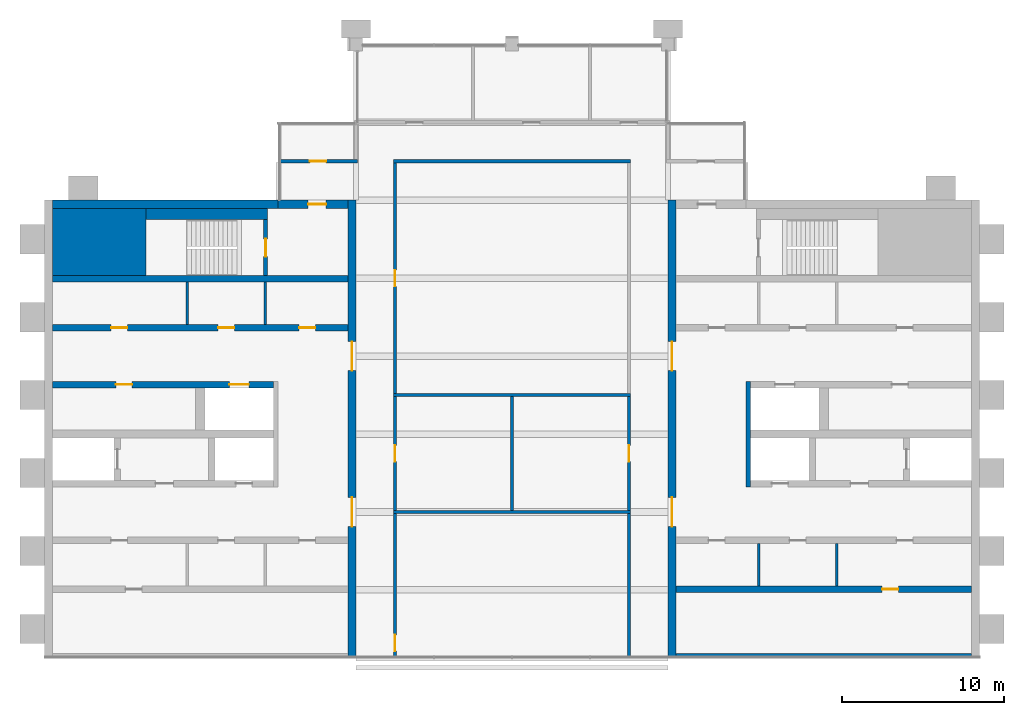
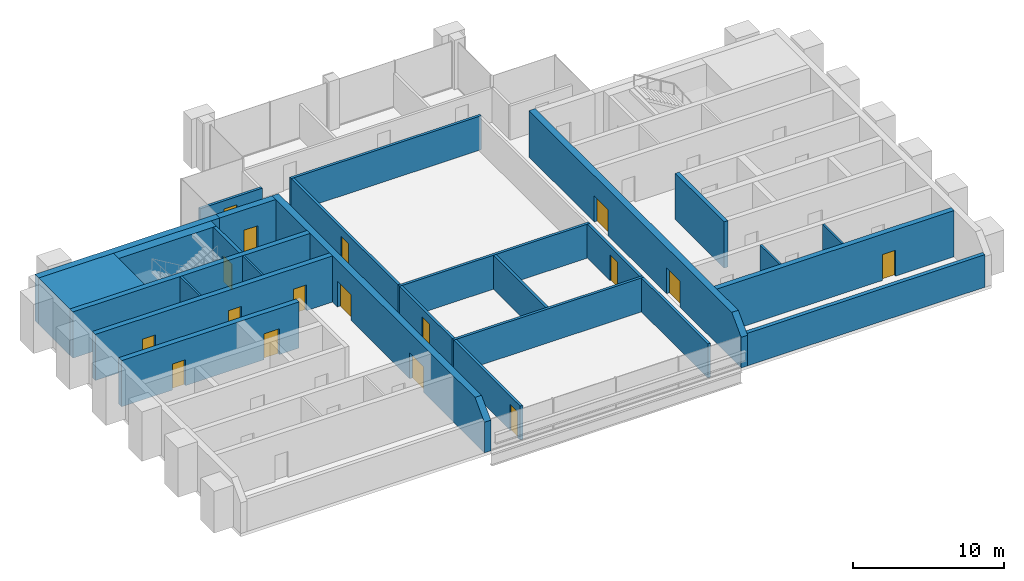
# One storey, part 9 of 12: 27 walls, 17 doors, 17 openings.
"""IFC4 building model written with IfcOpenShell, lengths in metres."""

import ifcopenshell
import ifcopenshell.guid

model = None  # the IFC model being written
_history = None  # IfcOwnerHistory: only IFC2X3 demands one
_inside = {}  # id of a spatial element -> (the spatial element, [elements in it])
_under = {}  # id of a project, library or spatial element -> (it, [spatial elements below it])
_declared = {}  # id of a project -> (the project, [libraries it declares])
_typed = {}  # id of a type object -> (the type object, [elements of that type])
_made_of = {}  # id of a material, layer set ... -> (it, [elements and type objects made of it])


def new_model(schema):
    """Start an empty IFC model of exactly this schema.

    Asked for "IFC4X3", IfcOpenShell would pick the latest addendum, in which some entities
    have other attributes; the version numbers below select the first issue.
    IFC2X3 requires an IfcOwnerHistory on every rooted entity: one is made here for all.
    """
    global model, _history
    if schema == "IFC4X3":
        model = ifcopenshell.file(schema_version=(4, 3, 0, 0))
    else:
        model = ifcopenshell.file(schema=schema)
    _inside.clear()
    _under.clear()
    _declared.clear()
    _typed.clear()
    _made_of.clear()
    _history = None
    if model.schema == "IFC2X3":
        org = make("IfcOrganization", Name="unknown")
        user = make(
            "IfcPersonAndOrganization",
            ThePerson=make("IfcPerson", FamilyName="unknown"),
            TheOrganization=org,
        )
        app = make(
            "IfcApplication",
            ApplicationDeveloper=org,
            Version="unknown",
            ApplicationFullName="unknown",
            ApplicationIdentifier="unknown",
        )
        _history = make(
            "IfcOwnerHistory",
            OwningUser=user,
            OwningApplication=app,
            ChangeAction="ADDED",
            CreationDate=0,
        )
    return model


def make(cls, **values):
    """One entity of the class cls with the attributes given. An attribute that is None is left unset."""
    return model.create_entity(
        cls, **{name: value for name, value in values.items() if value is not None}
    )


def rooted(cls, **values):
    """An entity with a GlobalId (a new one), such as an element, a storey or a relation."""
    return make(cls, GlobalId=ifcopenshell.guid.new(), OwnerHistory=_history, **values)


def si_unit(unit_type, name, prefix=None):
    """IfcSIUnit, for example si_unit("LENGTHUNIT", "METRE", prefix="MILLI")."""
    return make("IfcSIUnit", UnitType=unit_type, Prefix=prefix, Name=name)


def assignment(units):
    """IfcUnitAssignment: the units of a project."""
    return None if units is None else make("IfcUnitAssignment", Units=units)


def point(xyz):
    """IfcCartesianPoint."""
    return None if xyz is None else make("IfcCartesianPoint", Coordinates=xyz)


def direction(xyz):
    """IfcDirection."""
    return None if xyz is None else make("IfcDirection", DirectionRatios=xyz)


def frame(location, z_axis=None, x_axis=None):
    """IfcAxis2Placement3D, a coordinate frame: its origin and axes. An axis left out is left unset."""
    return make(
        "IfcAxis2Placement3D",
        Location=point(location),
        Axis=direction(z_axis),
        RefDirection=direction(x_axis),
    )


def frame_2d(location, x_axis=None):
    """IfcAxis2Placement2D, a coordinate frame in the plane: its origin and x axis."""
    return make(
        "IfcAxis2Placement2D", Location=point(location), RefDirection=direction(x_axis)
    )


def origin():
    """The frame at (0, 0, 0) with its axes left unset."""
    return frame((0.0, 0.0, 0.0))


def place(relative_to, where):
    """IfcLocalPlacement: puts the frame where relative to a parent placement (None: the world)."""
    return make(
        "IfcLocalPlacement", PlacementRelTo=relative_to, RelativePlacement=where
    )


def context(
    kind, dimensions, precision=None, world=None, true_north=None, identifier=None
):
    """IfcGeometricRepresentationContext, for example the 3D "Model" context."""
    return make(
        "IfcGeometricRepresentationContext",
        ContextIdentifier=identifier,
        ContextType=kind,
        CoordinateSpaceDimension=dimensions,
        Precision=precision,
        WorldCoordinateSystem=world,
        TrueNorth=true_north,
    )


def subcontext(parent, identifier, kind, view, scale=None):
    """IfcGeometricRepresentationSubContext, for example "Body" below "Model"."""
    return make(
        "IfcGeometricRepresentationSubContext",
        ContextIdentifier=identifier,
        ContextType=kind,
        ParentContext=parent,
        TargetScale=scale,
        TargetView=view,
    )


def project(units=None, contexts=None):
    """IfcProject with its units and contexts."""
    return rooted(
        "IfcProject",
        Name="project",
        RepresentationContexts=contexts,
        UnitsInContext=assignment(units),
    )


def spatial(cls, under=None, at=None, **own):
    """A site, building, storey or space (cls), placed at a placement, below another one or the project."""
    s = rooted(cls, ObjectPlacement=at, **own)
    if under is not None:
        _under.setdefault(under.id(), (under, []))[1].append(s)
    return s


def polyline(points):
    """IfcPolyline through the points."""
    return make("IfcPolyline", Points=[point(p) for p in points])


def profile(cls, at=None, kind="AREA", **sizes):
    """A parametric profile (cls). Its sizes go by their IFC names, for example OverallWidth=200.0."""
    return make(cls, ProfileType=kind, Position=at, **sizes)


def rectangle(**sizes):
    """IfcRectangleProfileDef."""
    return profile("IfcRectangleProfileDef", **sizes)


def outline(outer, holes=None, kind="AREA"):
    """IfcArbitraryClosedProfileDef: a profile drawn as a closed curve; with holes, ...WithVoids."""
    if holes is None:
        return make("IfcArbitraryClosedProfileDef", ProfileType=kind, OuterCurve=outer)
    return make(
        "IfcArbitraryProfileDefWithVoids",
        ProfileType=kind,
        OuterCurve=outer,
        InnerCurves=holes,
    )


def extrude(swept, where, along, depth):
    """IfcExtrudedAreaSolid: the profile swept, set in the frame where, extruded along a direction by depth."""
    return make(
        "IfcExtrudedAreaSolid",
        SweptArea=swept,
        Position=where,
        ExtrudedDirection=direction(along),
        Depth=depth,
    )


def shape(context_of_items, identifier, shape_type, items):
    """IfcShapeRepresentation: the items that make up one representation, for example the "Body"."""
    return make(
        "IfcShapeRepresentation",
        ContextOfItems=context_of_items,
        RepresentationIdentifier=identifier,
        RepresentationType=shape_type,
        Items=items,
    )


def material(Name=None, Category=None):
    """IfcMaterial."""
    return make("IfcMaterial", Name=Name, Category=Category)


def layer(
    of_material, thickness, ventilated=None, Name=None, Category=None, Priority=None
):
    """IfcMaterialLayer: one layer of a wall or slab, of a material (None: an air gap)."""
    return make(
        "IfcMaterialLayer",
        Material=of_material,
        LayerThickness=thickness,
        IsVentilated=ventilated,
        Name=Name,
        Category=Category,
        Priority=Priority,
    )


def layer_set(layers, Name=None):
    """IfcMaterialLayerSet."""
    return make("IfcMaterialLayerSet", MaterialLayers=layers, LayerSetName=Name)


def made_of(thing, what):
    """Note that an element or type object is made of a material, layer set ...; save() writes the relation."""
    if what is not None:
        _made_of.setdefault(what.id(), (what, []))[1].append(thing)
    return thing


def type_object(cls, material=None, **own):
    """A type object (cls), such as IfcWallType, which elements share."""
    return made_of(rooted(cls, **own), material)


def element(
    cls,
    number,
    at=None,
    inside=None,
    cuts=None,
    type_object=None,
    material=None,
    context=None,
    identifier="Body",
    shape_type=None,
    held_by="IfcProductDefinitionShape",
    body=None,
    shapes=None,
    **own,
):
    """One element of the class cls, such as IfcWall. Its Tag is "e" and its number.

    at: its placement. inside: the storey or other place that contains it. cuts: it is an
    opening in that element (IfcRelVoidsElement). A single representation is given by context,
    identifier, shape_type and body (its items); several are given by shapes. held_by: the class
    of the entity that holds the representations. save() writes the other relations.
    """
    e = rooted(cls, Tag="e%d" % number, ObjectPlacement=at, **own)
    if body is not None:
        shapes = [shape(context, identifier, shape_type, body)]
    if shapes is not None:
        e.Representation = make(held_by, Representations=shapes)
    if inside is not None:
        _inside.setdefault(inside.id(), (inside, []))[1].append(e)
    if cuts is not None:
        rooted(
            "IfcRelVoidsElement", RelatingBuildingElement=cuts, RelatedOpeningElement=e
        )
    if type_object is not None:
        _typed.setdefault(type_object.id(), (type_object, []))[1].append(e)
    return made_of(e, material)


def fill(opening, filler):
    """IfcRelFillsElement: the door or window that sits in an opening."""
    return rooted(
        "IfcRelFillsElement",
        RelatingOpeningElement=opening,
        RelatedBuildingElement=filler,
    )


def aggregate(whole, parts):
    """IfcRelAggregates: a whole, such as a stair, and the parts it consists of."""
    return rooted("IfcRelAggregates", RelatingObject=whole, RelatedObjects=parts)


def save(model, path):
    """Write the relations noted so far, then the file.

    IfcRelAggregates (storeys below a building ...), IfcRelContainedInSpatialStructure (elements
    in a storey), IfcRelDefinesByType, IfcRelAssociatesMaterial and IfcRelDeclares: one each for
    every whole, place, type object, material and project.
    """
    for whole, parts in _under.values():
        aggregate(whole, parts)
    for where, things in _inside.values():
        rooted(
            "IfcRelContainedInSpatialStructure",
            RelatedElements=things,
            RelatingStructure=where,
        )
    for kind, things in _typed.values():
        rooted("IfcRelDefinesByType", RelatedObjects=things, RelatingType=kind)
    for what, things in _made_of.values():
        rooted("IfcRelAssociatesMaterial", RelatedObjects=things, RelatingMaterial=what)
    for by, libraries in _declared.values():
        rooted("IfcRelDeclares", RelatingContext=by, RelatedDefinitions=libraries)
    model.write(path)


model = new_model("IFC4")

# Units and contexts
model_context = context("Model", 3, precision=1e-05, world=origin(), true_north=direction((0.0, 1.0)))
body_context = subcontext(model_context, "Body", "Model", "MODEL_VIEW")
ifc_project = project(units=[si_unit("LENGTHUNIT", "METRE"), si_unit("AREAUNIT", "SQUARE_METRE"), si_unit("VOLUMEUNIT", "CUBIC_METRE"), si_unit("PLANEANGLEUNIT", "RADIAN"), si_unit("MASSUNIT", "GRAM", prefix="KILO")], contexts=[model_context])

# Site, building, storey
site_placement = place(None, origin())
site = spatial("IfcSite", under=ifc_project, at=site_placement, CompositionType="ELEMENT")
building_placement = place(site_placement, origin())
building = spatial("IfcBuilding", under=site, at=building_placement, Name="Baori Bourse Tower", CompositionType="ELEMENT")
storey_placement = place(building_placement, frame((0.0, 0.0, 370.300048828125)))
storey = spatial("IfcBuildingStorey", under=building, at=storey_placement, Name="L83", CompositionType="ELEMENT", Elevation=370.300048828125)

# Walls
ifc_material_1 = material(Name="Concrete f'c 40 MPa", Category="concrete")
wall_type_1 = type_object("IfcWallType", Name="Core corner block f'c 40", PredefinedType="SHEAR", material=ifc_material_1)
wall_1_placement = place(storey_placement, frame((0.5, 35.824951171875, 0.0), z_axis=(0.0, 0.0, 1.0), x_axis=(1.0, 0.0, 0.0)))
element("IfcWall", 1, at=wall_1_placement, inside=storey, type_object=wall_type_1, Name="Core wall W19", PredefinedType="SHEAR", context=body_context, shape_type="SweptSolid", body=[
    extrude(rectangle(XDim=5.75, YDim=4.14990234375, at=frame_2d((2.875, 0.0))), origin(), (0.0, 0.0, 1.0), 3.75),
])
ifc_material_2 = material(Name="Blockwork partition", Category="masonry")
ifc_layer_1 = layer(ifc_material_2, 0.14990234375)
ifc_layer_set_1 = layer_set([ifc_layer_1], Name="Core partition 150")
wall_type_2 = type_object("IfcWallType", Name="Core partition 150", PredefinedType="PARTITIONING", material=ifc_layer_set_1)
for number, where, z_axis, x_axis, name in (
    (2, (8.800048828125, 30.75, 0.0), (0.0, 0.0, 1.0), (0.0, 1.0, 0.0), "Partition wall W16"),
    (3, (13.60009765625, 30.75, 0.0), (0.0, 0.0, 1.0), (0.0, 1.0, 0.0), "Partition wall W17"),
    (4, (48.800048828125, 14.64990234375, 0.0), (0.0, 0.0, 1.0), (0.0, 1.0, 0.0), "Partition wall E05"),
    (5, (44.0, 14.64990234375, 0.0), (0.0, 0.0, 1.0), (0.0, 1.0, 0.0), "Partition wall E06"),
):
    element("IfcWall", number, at=place(storey_placement, frame(where, z_axis=z_axis, x_axis=x_axis)), inside=storey, type_object=wall_type_2, Name=name, PredefinedType="PARTITIONING", context=body_context, shape_type="SweptSolid", body=[
        extrude(rectangle(XDim=2.60009765625, YDim=0.14990234375, at=frame_2d((1.300048828125, 0.0))), origin(), (0.0, 0.0, 1.0), 3.75),
    ])
ifc_material_3 = material(Name="Concrete f'c 40 MPa", Category="concrete")
ifc_layer_2 = layer(ifc_material_3, 0.300048828125)
ifc_layer_set_2 = layer_set([ifc_layer_2], Name="Core wall 300 f'c 40")
wall_type_3 = type_object("IfcWallType", Name="Core wall 300 f'c 40", PredefinedType="SHEAR", material=ifc_layer_set_2)
wall_2_placement = place(storey_placement, frame((57.10009765625, 10.32275390625, 0.0), z_axis=(0.0, 0.0, 1.0), x_axis=(-1.0, 0.0, 0.0)))
element("IfcWall", 6, at=wall_2_placement, inside=storey, type_object=wall_type_3, Name="Core wall E02", PredefinedType="SHEAR", context=body_context, shape_type="SweptSolid", body=[
    extrude(outline(polyline([(0.0, 0.0), (18.2001953125, 0.0), (18.199951171875, 2.639404296875), (0.0, 2.639404296875), (0.0, 0.0)])), frame((0.0, 0.14990234375, 0.0), z_axis=(0.0, -1.0, 0.0), x_axis=(1.0, 0.0, 0.0)), (0.0, 0.0, 1.0), 0.300048828125),
])

# Wall, openings, doors
ifc_material_4 = material(Name="Concrete f'c 40 MPa", Category="concrete")
ifc_layer_3 = layer(ifc_material_4, 0.5)
ifc_layer_set_3 = layer_set([ifc_layer_3], Name="Core wall 500 f'c 40")
wall_type_4 = type_object("IfcWallType", Name="Core wall 500 f'c 40", PredefinedType="SHEAR", material=ifc_layer_set_3)
wall_3_placement = place(storey_placement, frame((18.949951171875, 38.39990234375, 0.0), z_axis=(0.0, 0.0, 1.0), x_axis=(0.0, -1.0, 0.0)))
wall_3 = element("IfcWall", 7, at=wall_3_placement, inside=storey, type_object=wall_type_4, Name="Core wall W03", PredefinedType="SHEAR", context=body_context, shape_type="SweptSolid", body=[
    extrude(outline(polyline([(0.0, 0.0), (28.22705078125, 0.0), (28.22705078125, 2.487548828125), (26.980224609375, 3.75), (0.0, 3.75), (0.0, 0.0)])), frame((0.0, 0.25, 0.0), z_axis=(0.0, -1.0, 0.0), x_axis=(1.0, 0.0, 0.0)), (0.0, 0.0, 1.0), 0.5),
])
opening_1_placement = place(wall_3_placement, frame((18.300048828125, 0.0, 0.0)))
opening_1 = element("IfcOpeningElement", 8, at=opening_1_placement, cuts=wall_3, Name="Opening L83-D106", PredefinedType="OPENING", context=body_context, shape_type="SweptSolid", body=[
    extrude(rectangle(XDim=1.800048828125, YDim=2.10009765625, at=frame_2d((0.89990234375, 1.050048828125))), frame((0.0, 0.260009765625, 0.0), z_axis=(0.0, -1.0, 0.0), x_axis=(1.0, 0.0, 0.0)), (0.0, 0.0, 1.0), 0.52001953125),
])
opening_2_placement = place(wall_3_placement, frame((8.699951171875, 0.0, 0.0)))
opening_2 = element("IfcOpeningElement", 9, at=opening_2_placement, cuts=wall_3, Name="Opening L83-D107", PredefinedType="OPENING", context=body_context, shape_type="SweptSolid", body=[
    extrude(rectangle(XDim=1.800048828125, YDim=2.10009765625, at=frame_2d((0.89990234375, 1.050048828125))), frame((0.0, 0.260009765625, 0.0), z_axis=(0.0, -1.0, 0.0), x_axis=(1.0, 0.0, 0.0)), (0.0, 0.0, 1.0), 0.52001953125),
])
ifc_material_5 = material(Name="Painted steel door", Category="steel")
door_type_1 = type_object("IfcDoorType", Name="Core lobby door 1800", OperationType="DOUBLE_DOOR_SINGLE_SWING", PredefinedType="DOOR", material=ifc_material_5)
door_1_placement = place(opening_1_placement, origin())
door_1 = element("IfcDoor", 10, at=door_1_placement, inside=storey, type_object=door_type_1, Name="Lobby door W L83", OperationType="DOUBLE_DOOR_SINGLE_SWING", OverallHeight=2.10009765625, OverallWidth=1.800048828125, PredefinedType="DOOR", context=body_context, shape_type="SweptSolid", body=[
    extrude(rectangle(XDim=1.800048828125, YDim=2.10009765625, at=frame_2d((0.89990234375, 1.050048828125))), frame((0.0, 0.02490234375, 0.0), z_axis=(0.0, -1.0, 0.0), x_axis=(1.0, 0.0, 0.0)), (0.0, 0.0, 1.0), 0.050048828125),
])
fill(opening_1, door_1)
door_2_placement = place(opening_2_placement, origin())
door_2 = element("IfcDoor", 11, at=door_2_placement, inside=storey, type_object=door_type_1, Name="Lobby door W L83", OperationType="DOUBLE_DOOR_SINGLE_SWING", OverallHeight=2.10009765625, OverallWidth=1.800048828125, PredefinedType="DOOR", context=body_context, shape_type="SweptSolid", body=[
    extrude(rectangle(XDim=1.800048828125, YDim=2.10009765625, at=frame_2d((0.89990234375, 1.050048828125))), frame((0.0, 0.02490234375, 0.0), z_axis=(0.0, -1.0, 0.0), x_axis=(1.0, 0.0, 0.0)), (0.0, 0.0, 1.0), 0.050048828125),
])
fill(opening_2, door_2)

# Wall
wall_4_placement = place(storey_placement, frame((0.5, 38.14990234375, 0.0), z_axis=(0.0, 0.0, 1.0), x_axis=(1.0, 0.0, 0.0)))
element("IfcWall", 12, at=wall_4_placement, inside=storey, type_object=wall_type_4, Name="Core wall W22", PredefinedType="SHEAR", context=body_context, shape_type="SweptSolid", body=[
    extrude(rectangle(XDim=13.89990234375, YDim=0.5, at=frame_2d((6.949951171875, 0.0))), origin(), (0.0, 0.0, 1.0), 3.75),
])

# Wall, opening, door
wall_5_placement = place(storey_placement, frame((14.39990234375, 38.14990234375, 0.0), z_axis=(0.0, 0.0, 1.0), x_axis=(1.0, 0.0, 0.0)))
wall_5 = element("IfcWall", 13, at=wall_5_placement, inside=storey, type_object=wall_type_4, Name="Core wall W23", PredefinedType="SHEAR", context=body_context, shape_type="SweptSolid", body=[
    extrude(rectangle(XDim=4.300048828125, YDim=0.5, at=frame_2d((2.14990234375, 0.0))), origin(), (0.0, 0.0, 1.0), 3.75),
])
opening_3_placement = place(wall_5_placement, frame((1.85009765625, 0.0, 0.0)))
opening_3 = element("IfcOpeningElement", 14, at=opening_3_placement, cuts=wall_5, Name="Opening L83-D102", PredefinedType="OPENING", context=body_context, shape_type="SweptSolid", body=[
    extrude(rectangle(XDim=1.10009765625, YDim=2.10009765625, at=frame_2d((0.550048828125, 1.050048828125))), frame((0.0, 0.260009765625, 0.0), z_axis=(0.0, -1.0, 0.0), x_axis=(1.0, 0.0, 0.0)), (0.0, 0.0, 1.0), 0.52001953125),
])
ifc_material_6 = material(Name="Painted steel door", Category="steel")
door_type_2 = type_object("IfcDoorType", Name="Stair door 1100", OperationType="SINGLE_SWING_LEFT", PredefinedType="DOOR", material=ifc_material_6)
door_3_placement = place(opening_3_placement, origin())
door_3 = element("IfcDoor", 15, at=door_3_placement, inside=storey, type_object=door_type_2, Name="Stair vestibule door B W L83", OperationType="SINGLE_SWING_LEFT", OverallHeight=2.10009765625, OverallWidth=1.10009765625, PredefinedType="DOOR", context=body_context, shape_type="SweptSolid", body=[
    extrude(rectangle(XDim=1.10009765625, YDim=2.10009765625, at=frame_2d((0.550048828125, 1.050048828125))), frame((0.0, 0.02490234375, 0.0), z_axis=(0.0, -1.0, 0.0), x_axis=(1.0, 0.0, 0.0)), (0.0, 0.0, 1.0), 0.050048828125),
])
fill(opening_3, door_3)

# Wall, openings, doors
wall_6_placement = place(storey_placement, frame((38.64990234375, 10.1728515625, 0.0), z_axis=(0.0, 0.0, 1.0), x_axis=(0.0, 1.0, 0.0)))
wall_6 = element("IfcWall", 16, at=wall_6_placement, inside=storey, type_object=wall_type_4, Name="Core wall E03", PredefinedType="SHEAR", context=body_context, shape_type="SweptSolid", body=[
    extrude(outline(polyline([(0.0, 0.0), (28.22705078125, 0.0), (28.22705078125, 3.75), (1.246826171875, 3.75), (0.0, 2.487548828125), (0.0, 0.0)])), frame((0.0, 0.25, 0.0), z_axis=(0.0, -1.0, 0.0), x_axis=(1.0, 0.0, 0.0)), (0.0, 0.0, 1.0), 0.5),
])
opening_4_placement = place(wall_6_placement, frame((8.127197265625, 0.0, 0.0)))
opening_4 = element("IfcOpeningElement", 17, at=opening_4_placement, cuts=wall_6, Name="Opening L83-D206", PredefinedType="OPENING", context=body_context, shape_type="SweptSolid", body=[
    extrude(rectangle(XDim=1.800048828125, YDim=2.10009765625, at=frame_2d((0.89990234375, 1.050048828125))), frame((0.0, 0.260009765625, 0.0), z_axis=(0.0, -1.0, 0.0), x_axis=(1.0, 0.0, 0.0)), (0.0, 0.0, 1.0), 0.52001953125),
])
opening_5_placement = place(wall_6_placement, frame((17.72705078125, 0.0, 0.0)))
opening_5 = element("IfcOpeningElement", 18, at=opening_5_placement, cuts=wall_6, Name="Opening L83-D207", PredefinedType="OPENING", context=body_context, shape_type="SweptSolid", body=[
    extrude(rectangle(XDim=1.800048828125, YDim=2.10009765625, at=frame_2d((0.89990234375, 1.050048828125))), frame((0.0, 0.260009765625, 0.0), z_axis=(0.0, -1.0, 0.0), x_axis=(1.0, 0.0, 0.0)), (0.0, 0.0, 1.0), 0.52001953125),
])
door_4_placement = place(opening_4_placement, origin())
door_4 = element("IfcDoor", 19, at=door_4_placement, inside=storey, type_object=door_type_1, Name="Lobby door E L83", OperationType="DOUBLE_DOOR_SINGLE_SWING", OverallHeight=2.10009765625, OverallWidth=1.800048828125, PredefinedType="DOOR", context=body_context, shape_type="SweptSolid", body=[
    extrude(rectangle(XDim=1.800048828125, YDim=2.10009765625, at=frame_2d((0.89990234375, 1.050048828125))), frame((0.0, 0.02490234375, 0.0), z_axis=(0.0, -1.0, 0.0), x_axis=(1.0, 0.0, 0.0)), (0.0, 0.0, 1.0), 0.050048828125),
])
fill(opening_4, door_4)
door_5_placement = place(opening_5_placement, origin())
door_5 = element("IfcDoor", 20, at=door_5_placement, inside=storey, type_object=door_type_1, Name="Lobby door E L83", OperationType="DOUBLE_DOOR_SINGLE_SWING", OverallHeight=2.10009765625, OverallWidth=1.800048828125, PredefinedType="DOOR", context=body_context, shape_type="SweptSolid", body=[
    extrude(rectangle(XDim=1.800048828125, YDim=2.10009765625, at=frame_2d((0.89990234375, 1.050048828125))), frame((0.0, 0.02490234375, 0.0), z_axis=(0.0, -1.0, 0.0), x_axis=(1.0, 0.0, 0.0)), (0.0, 0.0, 1.0), 0.050048828125),
])
fill(opening_5, door_5)

# Walls
ifc_material_7 = material(Name="Gypsum board partition")
ifc_layer_4 = layer(ifc_material_7, 0.199951171875)
ifc_layer_set_4 = layer_set([ifc_layer_4], Name="Plant room wall 200")
wall_type_5 = type_object("IfcWallType", Name="Plant room wall 200", PredefinedType="PARTITIONING", material=ifc_layer_set_4)
for number, where, z_axis, x_axis, name in (
    (21, (21.5, 19.199951171875, 0.0), (0.0, 0.0, 1.0), (1.0, 0.0, 0.0), "Partition"),
    (22, (21.5, 26.39990234375, 0.0), (0.0, 0.0, 1.0), (1.0, 0.0, 0.0), "Partition"),
):
    element("IfcWall", number, at=place(storey_placement, frame(where, z_axis=z_axis, x_axis=x_axis)), inside=storey, type_object=wall_type_5, Name=name, PredefinedType="PARTITIONING", context=body_context, shape_type="SweptSolid", body=[
        extrude(rectangle(XDim=14.60009765625, YDim=0.199951171875, at=frame_2d((7.300048828125, 0.0))), origin(), (0.0, 0.0, 1.0), 2.75927734375),
    ])

# Wall, opening, door
wall_7_placement = place(storey_placement, frame((14.5, 40.800048828125, 0.0), z_axis=(0.0, 0.0, 1.0), x_axis=(1.0, 0.0, 0.0)))
wall_7 = element("IfcWall", 23, at=wall_7_placement, inside=storey, type_object=wall_type_5, Name="Partition", PredefinedType="PARTITIONING", context=body_context, shape_type="SweptSolid", body=[
    extrude(rectangle(XDim=4.800048828125, YDim=0.199951171875, at=frame_2d((2.39990234375, 0.0))), origin(), (0.0, 0.0, 1.0), 2.75927734375),
])
opening_6_placement = place(wall_7_placement, frame((1.85009765625, 0.0, 0.0)))
opening_6 = element("IfcOpeningElement", 24, at=opening_6_placement, cuts=wall_7, Name="Opening L83-D01", PredefinedType="OPENING", context=body_context, shape_type="SweptSolid", body=[
    extrude(rectangle(XDim=1.0, YDim=2.10009765625, at=frame_2d((0.5, 1.050048828125))), frame((0.0, 0.10986328125, 0.0), z_axis=(0.0, -1.0, 0.0), x_axis=(1.0, 0.0, 0.0)), (0.0, 0.0, 1.0), 0.219970703125),
])
ifc_material_8 = material(Name="Timber door leaf", Category="wood")
door_type_3 = type_object("IfcDoorType", Name="Door 1000 x 2100", OperationType="SINGLE_SWING_LEFT", PredefinedType="DOOR", material=ifc_material_8)
door_6_placement = place(opening_6_placement, origin())
door_6 = element("IfcDoor", 25, at=door_6_placement, inside=storey, type_object=door_type_3, Name="Door", OperationType="SINGLE_SWING_RIGHT", OverallHeight=2.10009765625, OverallWidth=1.0, PredefinedType="DOOR", context=body_context, shape_type="SweptSolid", body=[
    extrude(rectangle(XDim=1.0, YDim=2.10009765625, at=frame_2d((0.5, 1.050048828125))), frame((0.0, 0.02490234375, 0.0), z_axis=(0.0, -1.0, 0.0), x_axis=(1.0, 0.0, 0.0)), (0.0, 0.0, 1.0), 0.050048828125),
])
fill(opening_6, door_6)

# Wall
wall_8_placement = place(storey_placement, frame((21.5, 40.800048828125, 0.0), z_axis=(0.0, 0.0, 1.0), x_axis=(1.0, 0.0, 0.0)))
element("IfcWall", 26, at=wall_8_placement, inside=storey, type_object=wall_type_5, Name="Partition", PredefinedType="PARTITIONING", context=body_context, shape_type="SweptSolid", body=[
    extrude(rectangle(XDim=14.60009765625, YDim=0.199951171875, at=frame_2d((7.300048828125, 0.0))), origin(), (0.0, 0.0, 1.0), 2.75927734375),
])

# Wall, opening, door
wall_9_placement = place(storey_placement, frame((21.60009765625, 10.27294921875, 0.0), z_axis=(0.0, 0.0, 1.0), x_axis=(0.0, 1.0, 0.0)))
wall_9 = element("IfcWall", 27, at=wall_9_placement, inside=storey, type_object=wall_type_5, Name="Partition", PredefinedType="PARTITIONING", context=body_context, shape_type="SweptSolid", body=[
    extrude(rectangle(XDim=8.8271484375, YDim=0.199951171875, at=frame_2d((4.41357421875, 0.0))), origin(), (0.0, 0.0, 1.0), 2.75927734375),
])
opening_7_placement = place(wall_9_placement, frame((0.363525390625, 0.0, 0.0)))
opening_7 = element("IfcOpeningElement", 28, at=opening_7_placement, cuts=wall_9, Name="Opening L83-D06", PredefinedType="OPENING", context=body_context, shape_type="SweptSolid", body=[
    extrude(rectangle(XDim=1.0, YDim=2.10009765625, at=frame_2d((0.5, 1.050048828125))), frame((0.0, 0.10986328125, 0.0), z_axis=(0.0, -1.0, 0.0), x_axis=(1.0, 0.0, 0.0)), (0.0, 0.0, 1.0), 0.219970703125),
])
door_7_placement = place(opening_7_placement, origin())
door_7 = element("IfcDoor", 29, at=door_7_placement, inside=storey, type_object=door_type_3, Name="Door", OperationType="SINGLE_SWING_LEFT", OverallHeight=2.10009765625, OverallWidth=1.0, PredefinedType="DOOR", context=body_context, shape_type="SweptSolid", body=[
    extrude(rectangle(XDim=1.0, YDim=2.10009765625, at=frame_2d((0.5, 1.050048828125))), frame((0.0, 0.02490234375, 0.0), z_axis=(0.0, -1.0, 0.0), x_axis=(1.0, 0.0, 0.0)), (0.0, 0.0, 1.0), 0.050048828125),
])
fill(opening_7, door_7)

wall_10_placement = place(storey_placement, frame((21.60009765625, 19.300048828125, 0.0), z_axis=(0.0, 0.0, 1.0), x_axis=(0.0, 1.0, 0.0)))
wall_10 = element("IfcWall", 30, at=wall_10_placement, inside=storey, type_object=wall_type_5, Name="Partition", PredefinedType="PARTITIONING", context=body_context, shape_type="SweptSolid", body=[
    extrude(rectangle(XDim=7.0, YDim=0.199951171875, at=frame_2d((3.5, 0.0))), origin(), (0.0, 0.0, 1.0), 2.75927734375),
])
opening_8_placement = place(wall_10_placement, frame((3.0, 0.0, 0.0)))
opening_8 = element("IfcOpeningElement", 31, at=opening_8_placement, cuts=wall_10, Name="Opening L83-D07", PredefinedType="OPENING", context=body_context, shape_type="SweptSolid", body=[
    extrude(rectangle(XDim=1.0, YDim=2.10009765625, at=frame_2d((0.5, 1.050048828125))), frame((0.0, 0.10986328125, 0.0), z_axis=(0.0, -1.0, 0.0), x_axis=(1.0, 0.0, 0.0)), (0.0, 0.0, 1.0), 0.219970703125),
])
door_8_placement = place(opening_8_placement, origin())
door_8 = element("IfcDoor", 32, at=door_8_placement, inside=storey, type_object=door_type_3, Name="Door", OperationType="SINGLE_SWING_LEFT", OverallHeight=2.10009765625, OverallWidth=1.0, PredefinedType="DOOR", context=body_context, shape_type="SweptSolid", body=[
    extrude(rectangle(XDim=1.0, YDim=2.10009765625, at=frame_2d((0.5, 1.050048828125))), frame((0.0, 0.02490234375, 0.0), z_axis=(0.0, -1.0, 0.0), x_axis=(1.0, 0.0, 0.0)), (0.0, 0.0, 1.0), 0.050048828125),
])
fill(opening_8, door_8)

wall_11_placement = place(storey_placement, frame((21.60009765625, 26.5, 0.0), z_axis=(0.0, 0.0, 1.0), x_axis=(0.0, 1.0, 0.0)))
wall_11 = element("IfcWall", 33, at=wall_11_placement, inside=storey, type_object=wall_type_5, Name="Partition", PredefinedType="PARTITIONING", context=body_context, shape_type="SweptSolid", body=[
    extrude(rectangle(XDim=14.199951171875, YDim=0.199951171875, at=frame_2d((7.10009765625, 0.0))), origin(), (0.0, 0.0, 1.0), 2.75927734375),
])
opening_9_placement = place(wall_11_placement, frame((6.60009765625, 0.0, 0.0)))
opening_9 = element("IfcOpeningElement", 34, at=opening_9_placement, cuts=wall_11, Name="Opening L83-D08", PredefinedType="OPENING", context=body_context, shape_type="SweptSolid", body=[
    extrude(rectangle(XDim=1.0, YDim=2.10009765625, at=frame_2d((0.5, 1.050048828125))), frame((0.0, 0.10986328125, 0.0), z_axis=(0.0, -1.0, 0.0), x_axis=(1.0, 0.0, 0.0)), (0.0, 0.0, 1.0), 0.219970703125),
])
door_9_placement = place(opening_9_placement, origin())
door_9 = element("IfcDoor", 35, at=door_9_placement, inside=storey, type_object=door_type_3, Name="Door", OperationType="SINGLE_SWING_LEFT", OverallHeight=2.10009765625, OverallWidth=1.0, PredefinedType="DOOR", context=body_context, shape_type="SweptSolid", body=[
    extrude(rectangle(XDim=1.0, YDim=2.10009765625, at=frame_2d((0.5, 1.050048828125))), frame((0.0, 0.02490234375, 0.0), z_axis=(0.0, -1.0, 0.0), x_axis=(1.0, 0.0, 0.0)), (0.0, 0.0, 1.0), 0.050048828125),
])
fill(opening_9, door_9)

# Walls
wall_12_placement = place(storey_placement, frame((28.800048828125, 19.300048828125, 0.0), z_axis=(0.0, 0.0, 1.0), x_axis=(0.0, 1.0, 0.0)))
element("IfcWall", 36, at=wall_12_placement, inside=storey, type_object=wall_type_5, Name="Partition", PredefinedType="PARTITIONING", context=body_context, shape_type="SweptSolid", body=[
    extrude(rectangle(XDim=7.0, YDim=0.199951171875, at=frame_2d((3.5, 0.0))), origin(), (0.0, 0.0, 1.0), 2.75927734375),
])
wall_13_placement = place(storey_placement, frame((36.0, 10.27294921875, 0.0), z_axis=(0.0, 0.0, 1.0), x_axis=(0.0, 1.0, 0.0)))
element("IfcWall", 37, at=wall_13_placement, inside=storey, type_object=wall_type_5, Name="Partition", PredefinedType="PARTITIONING", context=body_context, shape_type="SweptSolid", body=[
    extrude(rectangle(XDim=8.8271484375, YDim=0.199951171875, at=frame_2d((4.41357421875, 0.0))), origin(), (0.0, 0.0, 1.0), 2.75927734375),
])

# Wall, opening, door
wall_14_placement = place(storey_placement, frame((36.0, 19.300048828125, 0.0), z_axis=(0.0, 0.0, 1.0), x_axis=(0.0, 1.0, 0.0)))
wall_14 = element("IfcWall", 38, at=wall_14_placement, inside=storey, type_object=wall_type_5, Name="Partition", PredefinedType="PARTITIONING", context=body_context, shape_type="SweptSolid", body=[
    extrude(rectangle(XDim=7.0, YDim=0.199951171875, at=frame_2d((3.5, 0.0))), origin(), (0.0, 0.0, 1.0), 2.75927734375),
])
opening_10_placement = place(wall_14_placement, frame((3.0, 0.0, 0.0)))
opening_10 = element("IfcOpeningElement", 39, at=opening_10_placement, cuts=wall_14, Name="Opening L83-D09", PredefinedType="OPENING", context=body_context, shape_type="SweptSolid", body=[
    extrude(rectangle(XDim=1.0, YDim=2.10009765625, at=frame_2d((0.5, 1.050048828125))), frame((0.0, 0.10986328125, 0.0), z_axis=(0.0, -1.0, 0.0), x_axis=(1.0, 0.0, 0.0)), (0.0, 0.0, 1.0), 0.219970703125),
])
door_10_placement = place(opening_10_placement, origin())
door_10 = element("IfcDoor", 40, at=door_10_placement, inside=storey, type_object=door_type_3, Name="Door", OperationType="SINGLE_SWING_RIGHT", OverallHeight=2.10009765625, OverallWidth=1.0, PredefinedType="DOOR", context=body_context, shape_type="SweptSolid", body=[
    extrude(rectangle(XDim=1.0, YDim=2.10009765625, at=frame_2d((0.5, 1.050048828125))), frame((0.0, 0.02490234375, 0.0), z_axis=(0.0, -1.0, 0.0), x_axis=(1.0, 0.0, 0.0)), (0.0, 0.0, 1.0), 0.050048828125),
])
fill(opening_10, door_10)

ifc_material_9 = material(Name="Concrete f'c 40 MPa", Category="concrete")
ifc_layer_5 = layer(ifc_material_9, 0.25)
ifc_layer_set_5 = layer_set([ifc_layer_5], Name="Shaft wall 250 f'c 40")
wall_type_6 = type_object("IfcWallType", Name="Shaft wall 250 f'c 40", PredefinedType="SHEAR", material=ifc_layer_set_5)
wall_15_placement = place(storey_placement, frame((13.625, 33.75, 0.0), z_axis=(0.0, 0.0, 1.0), x_axis=(0.0, 1.0, 0.0)))
wall_15 = element("IfcWall", 41, at=wall_15_placement, inside=storey, type_object=wall_type_6, Name="Core wall W20", PredefinedType="SHEAR", context=body_context, shape_type="SweptSolid", body=[
    extrude(rectangle(XDim=3.449951171875, YDim=0.25, at=frame_2d((1.72509765625, 0.0))), origin(), (0.0, 0.0, 1.0), 3.75),
])
opening_11_placement = place(wall_15_placement, frame((1.175048828125, 0.0, 0.0)))
opening_11 = element("IfcOpeningElement", 42, at=opening_11_placement, cuts=wall_15, Name="Opening L83-D101", PredefinedType="OPENING", context=body_context, shape_type="SweptSolid", body=[
    extrude(rectangle(XDim=1.10009765625, YDim=2.10009765625, at=frame_2d((0.550048828125, 1.050048828125))), frame((0.0, 0.135009765625, 0.0), z_axis=(0.0, -1.0, 0.0), x_axis=(1.0, 0.0, 0.0)), (0.0, 0.0, 1.0), 0.27001953125),
])
door_11_placement = place(opening_11_placement, origin())
door_11 = element("IfcDoor", 43, at=door_11_placement, inside=storey, type_object=door_type_2, Name="Stair door B W L83", OperationType="SINGLE_SWING_LEFT", OverallHeight=2.10009765625, OverallWidth=1.10009765625, PredefinedType="DOOR", context=body_context, shape_type="SweptSolid", body=[
    extrude(rectangle(XDim=1.10009765625, YDim=2.10009765625, at=frame_2d((0.550048828125, 1.050048828125))), frame((0.0, 0.02490234375, 0.0), z_axis=(0.0, -1.0, 0.0), x_axis=(1.0, 0.0, 0.0)), (0.0, 0.0, 1.0), 0.050048828125),
])
fill(opening_11, door_11)

# Wall
ifc_material_10 = material(Name="Concrete f'c 40 MPa", Category="concrete")
ifc_layer_6 = layer(ifc_material_10, 0.300048828125)
ifc_layer_set_6 = layer_set([ifc_layer_6], Name="Shaft wall 300 f'c 40")
wall_type_7 = type_object("IfcWallType", Name="Shaft wall 300 f'c 40", PredefinedType="SHEAR", material=ifc_layer_set_6)
wall_16_placement = place(storey_placement, frame((43.35009765625, 20.75, 0.0), z_axis=(0.0, 0.0, 1.0), x_axis=(0.0, 1.0, 0.0)))
element("IfcWall", 44, at=wall_16_placement, inside=storey, type_object=wall_type_7, Name="Core wall E09", PredefinedType="SHEAR", context=body_context, shape_type="SweptSolid", body=[
    extrude(rectangle(XDim=6.5, YDim=0.300048828125, at=frame_2d((3.25, 0.0))), origin(), (0.0, 0.0, 1.0), 3.75),
])

# Wall, openings, doors
ifc_material_11 = material(Name="Concrete f'c 40 MPa", Category="concrete")
ifc_layer_7 = layer(ifc_material_11, 0.39990234375)
ifc_layer_set_7 = layer_set([ifc_layer_7], Name="Shaft wall 400 f'c 40")
wall_type_8 = type_object("IfcWallType", Name="Shaft wall 400 f'c 40", PredefinedType="SHEAR", material=ifc_layer_set_7)
wall_17_placement = place(storey_placement, frame((0.5, 27.050048828125, 0.0), z_axis=(0.0, 0.0, 1.0), x_axis=(1.0, 0.0, 0.0)))
wall_17 = element("IfcWall", 45, at=wall_17_placement, inside=storey, type_object=wall_type_8, Name="Core wall W14", PredefinedType="SHEAR", context=body_context, shape_type="SweptSolid", body=[
    extrude(rectangle(XDim=13.60009765625, YDim=0.39990234375, at=frame_2d((6.800048828125, 0.0))), origin(), (0.0, 0.0, 1.0), 3.75),
])
opening_12_placement = place(wall_17_placement, frame((3.89990234375, 0.0, 0.0)))
opening_12 = element("IfcOpeningElement", 46, at=opening_12_placement, cuts=wall_17, Name="Opening L83-D114", PredefinedType="OPENING", context=body_context, shape_type="SweptSolid", body=[
    extrude(rectangle(XDim=1.0, YDim=2.10009765625, at=frame_2d((0.5, 1.050048828125))), frame((0.0, 0.2099609375, 0.0), z_axis=(0.0, -1.0, 0.0), x_axis=(1.0, 0.0, 0.0)), (0.0, 0.0, 1.0), 0.419921875),
])
opening_13_placement = place(wall_17_placement, frame((10.89990234375, 0.0, 0.0)))
opening_13 = element("IfcOpeningElement", 47, at=opening_13_placement, cuts=wall_17, Name="Opening L83-D115", PredefinedType="OPENING", context=body_context, shape_type="SweptSolid", body=[
    extrude(rectangle(XDim=1.199951171875, YDim=2.10009765625, at=frame_2d((0.60009765625, 1.050048828125))), frame((0.0, 0.2099609375, 0.0), z_axis=(0.0, -1.0, 0.0), x_axis=(1.0, 0.0, 0.0)), (0.0, 0.0, 1.0), 0.419921875),
])
ifc_material_12 = material(Name="Stainless steel door", Category="steel")
door_type_4 = type_object("IfcDoorType", Name="Lift landing door", OperationType="DOUBLE_DOOR_SLIDING", PredefinedType="DOOR", material=ifc_material_12)
door_12_placement = place(opening_13_placement, origin())
door_12 = element("IfcDoor", 48, at=door_12_placement, inside=storey, type_object=door_type_4, Name="Lift landing door SV1 W L83", OperationType="DOUBLE_DOOR_SLIDING", OverallHeight=2.10009765625, OverallWidth=1.199951171875, PredefinedType="DOOR", context=body_context, shape_type="SweptSolid", body=[
    extrude(rectangle(XDim=1.199951171875, YDim=2.10009765625, at=frame_2d((0.60009765625, 1.050048828125))), frame((0.0, 0.02490234375, 0.0), z_axis=(0.0, -1.0, 0.0), x_axis=(1.0, 0.0, 0.0)), (0.0, 0.0, 1.0), 0.050048828125),
])
fill(opening_13, door_12)
ifc_material_13 = material(Name="Painted steel door", Category="steel")
door_type_5 = type_object("IfcDoorType", Name="Plant room door 1000", OperationType="SINGLE_SWING_LEFT", PredefinedType="DOOR", material=ifc_material_13)
door_13_placement = place(opening_12_placement, origin())
door_13 = element("IfcDoor", 49, at=door_13_placement, inside=storey, type_object=door_type_5, Name="Plant Room door W L83", OperationType="SINGLE_SWING_LEFT", OverallHeight=2.10009765625, OverallWidth=1.0, PredefinedType="DOOR", context=body_context, shape_type="SweptSolid", body=[
    extrude(rectangle(XDim=1.0, YDim=2.10009765625, at=frame_2d((0.5, 1.050048828125))), frame((0.0, 0.02490234375, 0.0), z_axis=(0.0, -1.0, 0.0), x_axis=(1.0, 0.0, 0.0)), (0.0, 0.0, 1.0), 0.050048828125),
])
fill(opening_12, door_13)

wall_18_placement = place(storey_placement, frame((0.5, 30.550048828125, 0.0), z_axis=(0.0, 0.0, 1.0), x_axis=(1.0, 0.0, 0.0)))
wall_18 = element("IfcWall", 50, at=wall_18_placement, inside=storey, type_object=wall_type_8, Name="Core wall W15", PredefinedType="SHEAR", context=body_context, shape_type="SweptSolid", body=[
    extrude(rectangle(XDim=18.199951171875, YDim=0.39990234375, at=frame_2d((9.10009765625, 0.0))), origin(), (0.0, 0.0, 1.0), 3.75),
])
opening_14_placement = place(wall_18_placement, frame((3.612548828125, 0.0, 0.0)))
opening_14 = element("IfcOpeningElement", 51, at=opening_14_placement, cuts=wall_18, Name="Opening L83-D108", PredefinedType="OPENING", context=body_context, shape_type="SweptSolid", body=[
    extrude(rectangle(XDim=1.0, YDim=2.10009765625, at=frame_2d((0.5, 1.050048828125))), frame((0.0, 0.2099609375, 0.0), z_axis=(0.0, -1.0, 0.0), x_axis=(1.0, 0.0, 0.0)), (0.0, 0.0, 1.0), 0.419921875),
])
opening_15_placement = place(wall_18_placement, frame((10.199951171875, 0.0, 0.0)))
opening_15 = element("IfcOpeningElement", 52, at=opening_15_placement, cuts=wall_18, Name="Opening L83-D109", PredefinedType="OPENING", context=body_context, shape_type="SweptSolid", body=[
    extrude(rectangle(XDim=1.0, YDim=2.10009765625, at=frame_2d((0.5, 1.050048828125))), frame((0.0, 0.2099609375, 0.0), z_axis=(0.0, -1.0, 0.0), x_axis=(1.0, 0.0, 0.0)), (0.0, 0.0, 1.0), 0.419921875),
])
opening_16_placement = place(wall_18_placement, frame((15.1875, 0.0, 0.0)))
opening_16 = element("IfcOpeningElement", 53, at=opening_16_placement, cuts=wall_18, Name="Opening L83-D110", PredefinedType="OPENING", context=body_context, shape_type="SweptSolid", body=[
    extrude(rectangle(XDim=1.0, YDim=2.10009765625, at=frame_2d((0.5, 1.050048828125))), frame((0.0, 0.2099609375, 0.0), z_axis=(0.0, -1.0, 0.0), x_axis=(1.0, 0.0, 0.0)), (0.0, 0.0, 1.0), 0.419921875),
])
door_14_placement = place(opening_14_placement, origin())
door_14 = element("IfcDoor", 54, at=door_14_placement, inside=storey, type_object=door_type_5, Name="Air Handling Fan Room door W L83", OperationType="SINGLE_SWING_LEFT", OverallHeight=2.10009765625, OverallWidth=1.0, PredefinedType="DOOR", context=body_context, shape_type="SweptSolid", body=[
    extrude(rectangle(XDim=1.0, YDim=2.10009765625, at=frame_2d((0.5, 1.050048828125))), frame((0.0, 0.02490234375, 0.0), z_axis=(0.0, -1.0, 0.0), x_axis=(1.0, 0.0, 0.0)), (0.0, 0.0, 1.0), 0.050048828125),
])
fill(opening_14, door_14)
door_15_placement = place(opening_15_placement, origin())
door_15 = element("IfcDoor", 55, at=door_15_placement, inside=storey, type_object=door_type_5, Name="Electrical Room door W L83", OperationType="SINGLE_SWING_LEFT", OverallHeight=2.10009765625, OverallWidth=1.0, PredefinedType="DOOR", context=body_context, shape_type="SweptSolid", body=[
    extrude(rectangle(XDim=1.0, YDim=2.10009765625, at=frame_2d((0.5, 1.050048828125))), frame((0.0, 0.02490234375, 0.0), z_axis=(0.0, -1.0, 0.0), x_axis=(1.0, 0.0, 0.0)), (0.0, 0.0, 1.0), 0.050048828125),
])
fill(opening_15, door_15)
door_16_placement = place(opening_16_placement, origin())
door_16 = element("IfcDoor", 56, at=door_16_placement, inside=storey, type_object=door_type_5, Name="Mechanical Room door W L83", OperationType="SINGLE_SWING_LEFT", OverallHeight=2.10009765625, OverallWidth=1.0, PredefinedType="DOOR", context=body_context, shape_type="SweptSolid", body=[
    extrude(rectangle(XDim=1.0, YDim=2.10009765625, at=frame_2d((0.5, 1.050048828125))), frame((0.0, 0.02490234375, 0.0), z_axis=(0.0, -1.0, 0.0), x_axis=(1.0, 0.0, 0.0)), (0.0, 0.0, 1.0), 0.050048828125),
])
fill(opening_16, door_16)

# Wall
wall_19_placement = place(storey_placement, frame((0.5, 33.550048828125, 0.0), z_axis=(0.0, 0.0, 1.0), x_axis=(1.0, 0.0, 0.0)))
element("IfcWall", 57, at=wall_19_placement, inside=storey, type_object=wall_type_8, Name="Core wall W18", PredefinedType="SHEAR", context=body_context, shape_type="SweptSolid", body=[
    extrude(rectangle(XDim=18.199951171875, YDim=0.39990234375, at=frame_2d((9.10009765625, 0.0))), origin(), (0.0, 0.0, 1.0), 3.75),
])

# Wall, opening, door
wall_20_placement = place(storey_placement, frame((38.89990234375, 14.449951171875, 0.0), z_axis=(0.0, 0.0, 1.0), x_axis=(1.0, 0.0, 0.0)))
wall_20 = element("IfcWall", 58, at=wall_20_placement, inside=storey, type_object=wall_type_8, Name="Core wall E04", PredefinedType="SHEAR", context=body_context, shape_type="SweptSolid", body=[
    extrude(rectangle(XDim=18.2001953125, YDim=0.39990234375, at=frame_2d((9.10009765625, 0.0))), origin(), (0.0, 0.0, 1.0), 3.75),
])
opening_17_placement = place(wall_20_placement, frame((12.699951171875, 0.0, 0.0)))
opening_17 = element("IfcOpeningElement", 59, at=opening_17_placement, cuts=wall_20, Name="Opening L83-D203", PredefinedType="OPENING", context=body_context, shape_type="SweptSolid", body=[
    extrude(rectangle(XDim=1.0, YDim=2.10009765625, at=frame_2d((0.5, 1.050048828125))), frame((0.0, 0.2099609375, 0.0), z_axis=(0.0, -1.0, 0.0), x_axis=(1.0, 0.0, 0.0)), (0.0, 0.0, 1.0), 0.419921875),
])
door_17_placement = place(opening_17_placement, origin())
door_17 = element("IfcDoor", 60, at=door_17_placement, inside=storey, type_object=door_type_5, Name="Plant room door E L83", OperationType="SINGLE_SWING_LEFT", OverallHeight=2.10009765625, OverallWidth=1.0, PredefinedType="DOOR", context=body_context, shape_type="SweptSolid", body=[
    extrude(rectangle(XDim=1.0, YDim=2.10009765625, at=frame_2d((0.5, 1.050048828125))), frame((0.0, 0.02490234375, 0.0), z_axis=(0.0, -1.0, 0.0), x_axis=(1.0, 0.0, 0.0)), (0.0, 0.0, 1.0), 0.050048828125),
])
fill(opening_17, door_17)

# Wall
ifc_material_14 = material(Name="Concrete f'c 40 MPa", Category="concrete")
ifc_layer_8 = layer(ifc_material_14, 0.699951171875)
ifc_layer_set_8 = layer_set([ifc_layer_8], Name="Shaft wall 700 f'c 40")
wall_type_9 = type_object("IfcWallType", Name="Shaft wall 700 f'c 40", PredefinedType="SHEAR", material=ifc_layer_set_8)
wall_21_placement = place(storey_placement, frame((6.25, 37.550048828125, 0.0), z_axis=(0.0, 0.0, 1.0), x_axis=(1.0, 0.0, 0.0)))
element("IfcWall", 61, at=wall_21_placement, inside=storey, type_object=wall_type_9, Name="Core wall W21", PredefinedType="SHEAR", context=body_context, shape_type="SweptSolid", body=[
    extrude(rectangle(XDim=7.5, YDim=0.699951171875, at=frame_2d((3.75, 0.0))), origin(), (0.0, 0.0, 1.0), 3.75),
])

save(model, "model.ifc")
